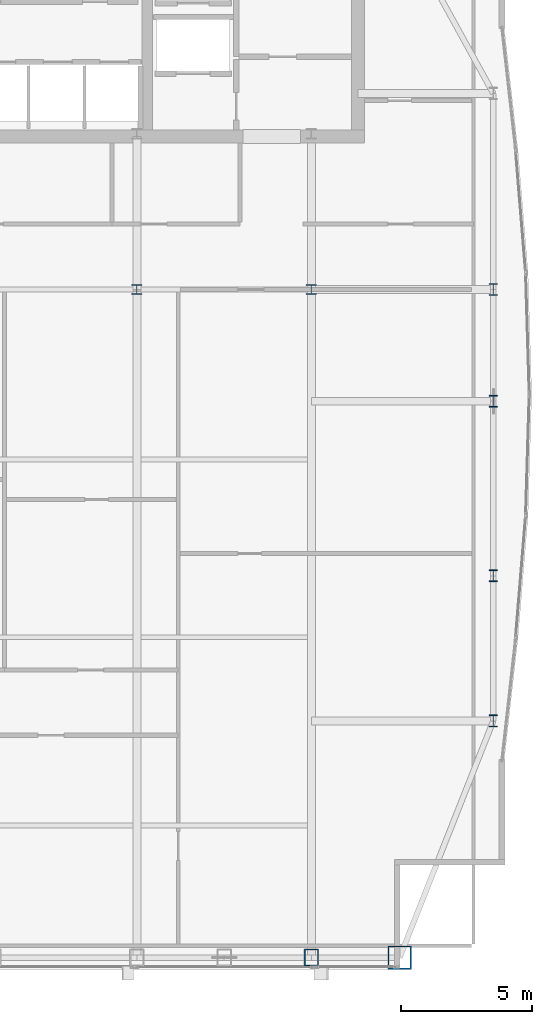
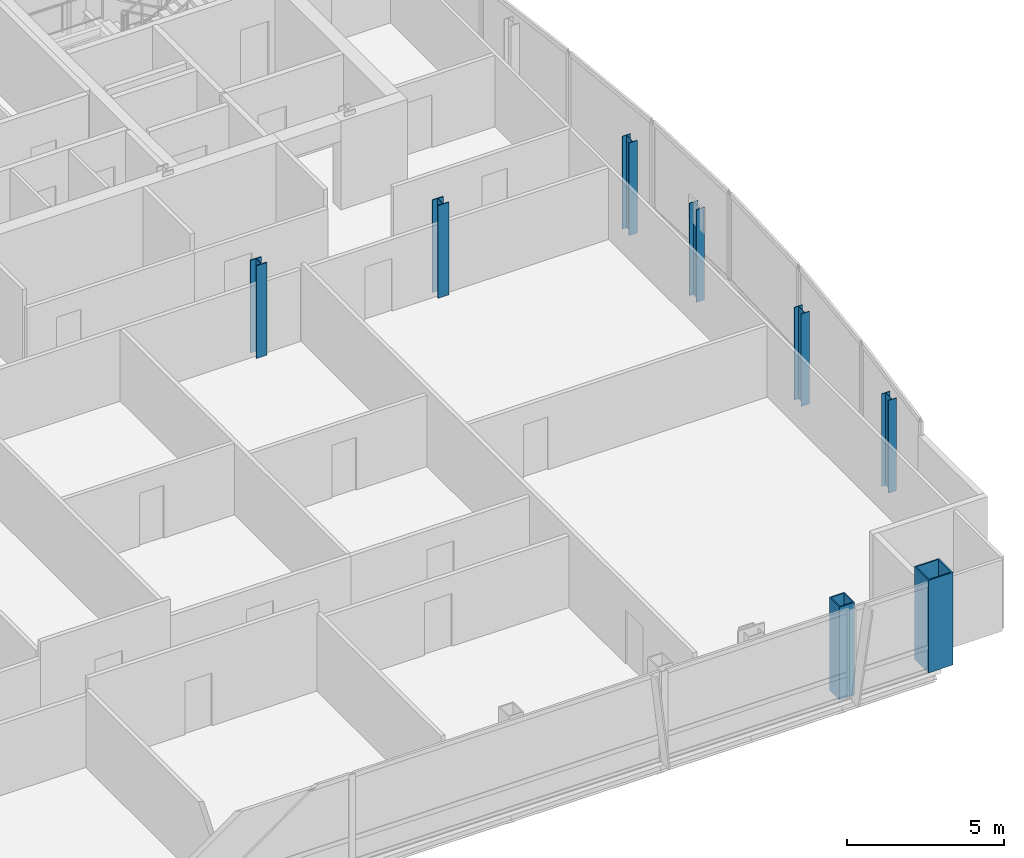
# One storey, part 2 of 25: 8 columns.
"""IFC4 building model written with IfcOpenShell, lengths in metres."""

from ifc_helpers import new_model, si_unit, direction, frame, origin, origin_2d, place, context, subcontext, project, spatial, hollow_rectangle, i_section, extrude, material, material_profile, profile_set, type_object, element, save


model = new_model("IFC4")

# Units and contexts
model_context = context("Model", 3, precision=1e-05, world=origin(), true_north=direction((0.0, 1.0)))
body_context = subcontext(model_context, "Body", "Model", "MODEL_VIEW")
ifc_project = project(units=[si_unit("LENGTHUNIT", "METRE"), si_unit("AREAUNIT", "SQUARE_METRE"), si_unit("VOLUMEUNIT", "CUBIC_METRE"), si_unit("PLANEANGLEUNIT", "RADIAN"), si_unit("MASSUNIT", "GRAM", prefix="KILO")], contexts=[model_context])

# Site, building, storey
site_placement = place(None, origin())
site = spatial("IfcSite", under=ifc_project, at=site_placement, CompositionType="ELEMENT")
building_placement = place(site_placement, origin())
building = spatial("IfcBuilding", under=site, at=building_placement, Name="Khoronbel Lancet Exchange", CompositionType="ELEMENT")
storey_placement = place(building_placement, frame((0.0, 0.0, 298.60009765625)))
storey = spatial("IfcBuildingStorey", under=building, at=storey_placement, Name="L77", CompositionType="ELEMENT", Elevation=298.60009765625)

# Columns
ifc_material_1 = material(Name="Steel S460", Category="steel")
ifc_material_profile_1 = material_profile(ifc_material_1, hollow_rectangle(XDim=0.550048828125, YDim=0.64990234375, WallThickness=0.0400390625, at=origin_2d()), Name="BOX 650x550x40")
ifc_profile_set_1 = profile_set([ifc_material_profile_1], Name="Steel S460")
column_type_1 = type_object("IfcColumnType", Name="COL-EC4", PredefinedType="COLUMN", material=ifc_profile_set_1)
column_1_placement = place(storey_placement, frame((54.675048828125, 10.14990234375, 0.0), z_axis=(0.0, 0.0, 1.0), x_axis=(1.0, 0.0, 0.0)))
element("IfcColumn", 1, at=column_1_placement, inside=storey, type_object=column_type_1, Name="Structural column SC-E2 L77", PredefinedType="COLUMN", context=body_context, shape_type="SweptSolid", body=[
    extrude(hollow_rectangle(XDim=0.550048828125, YDim=0.64990234375, WallThickness=0.0400390625, at=origin_2d()), origin(), (0.0, 0.0, 1.0), 3.599853515625),
])
ifc_material_2 = material(Name="Steel S355", Category="steel")
ifc_material_profile_2 = material_profile(ifc_material_2, i_section(OverallWidth=0.39892578125, OverallDepth=0.39306640625, WebThickness=0.022705078125, FlangeThickness=0.03662109375, at=origin_2d()), Name="HD 400x287")
ifc_profile_set_2 = profile_set([ifc_material_profile_2], Name="Steel S355")
column_type_2 = type_object("IfcColumnType", Name="COL-IC4", PredefinedType="COLUMN", material=ifc_profile_set_2)
for number, where, z_axis, x_axis, name in (
    (2, (48.0, 35.699951171875, 0.0), (0.0, 0.0, 1.0), (1.0, 0.0, 0.0), "Spine gravity column TC3 L77"),
    (3, (54.675048828125, 35.699951171875, 0.0), (0.0, 0.0, 1.0), (1.0, 0.0, 0.0), "Spine gravity column TC4 L77"),
):
    element("IfcColumn", number, at=place(storey_placement, frame(where, z_axis=z_axis, x_axis=x_axis)), inside=storey, type_object=column_type_2, Name=name, PredefinedType="COLUMN", context=body_context, shape_type="SweptSolid", body=[
        extrude(i_section(OverallWidth=0.39892578125, OverallDepth=0.39306640625, WebThickness=0.022705078125, FlangeThickness=0.03662109375, at=origin_2d()), origin(), (0.0, 0.0, 1.0), 3.599853515625),
    ])
ifc_material_profile_3 = material_profile(ifc_material_2, i_section(OverallWidth=0.300048828125, OverallDepth=0.449951171875, WebThickness=0.013916015625, FlangeThickness=0.02587890625, at=origin_2d()), Name="HEB 450")
ifc_profile_set_3 = profile_set([ifc_material_profile_3], Name="Steel S355")
column_type_3 = type_object("IfcColumnType", Name="COL-LC2", PredefinedType="COLUMN", material=ifc_profile_set_3)
for number, where, z_axis, x_axis, name in (
    (4, (61.6298828125, 19.199951171875, 0.0), (0.0, 0.0, 1.0), (1.0, 0.0, 0.0), "Structural column EC-1 L77"),
    (5, (61.6298828125, 24.75, 0.0), (0.0, 0.0, 1.0), (1.0, 0.0, 0.0), "Structural column EC-2 L77"),
    (6, (61.6298828125, 31.425048828125, 0.0), (0.0, 0.0, 1.0), (1.0, 0.0, 0.0), "Structural column EC-M L77"),
    (7, (61.6298828125, 35.699951171875, 0.0), (0.0, 0.0, 1.0), (1.0, 0.0, 0.0), "Structural column EC-3 L77"),
):
    element("IfcColumn", number, at=place(storey_placement, frame(where, z_axis=z_axis, x_axis=x_axis)), inside=storey, type_object=column_type_3, Name=name, PredefinedType="COLUMN", context=body_context, shape_type="SweptSolid", body=[
        extrude(i_section(OverallWidth=0.300048828125, OverallDepth=0.449951171875, WebThickness=0.013916015625, FlangeThickness=0.02587890625, at=origin_2d()), origin(), (0.0, 0.0, 1.0), 3.599853515625),
    ])
ifc_material_profile_4 = material_profile(ifc_material_1, hollow_rectangle(XDim=0.89990234375, YDim=0.89990234375, WallThickness=0.050048828125, at=origin_2d()), Name="BOX 900x900x50")
ifc_profile_set_4 = profile_set([ifc_material_profile_4], Name="Steel S460")
column_type_4 = type_object("IfcColumnType", Name="COL-MC7", PredefinedType="COLUMN", material=ifc_profile_set_4)
column_2_placement = place(storey_placement, frame((58.050048828125, 10.14990234375, 0.0), z_axis=(0.0, 0.0, 1.0), x_axis=(1.0, 0.0, 0.0)))
element("IfcColumn", 8, at=column_2_placement, inside=storey, type_object=column_type_4, Name="Structural column MC-SE L77", PredefinedType="COLUMN", context=body_context, shape_type="SweptSolid", body=[
    extrude(hollow_rectangle(XDim=0.89990234375, YDim=0.89990234375, WallThickness=0.050048828125, at=origin_2d()), origin(), (0.0, 0.0, 1.0), 3.599853515625),
])

save(model, "model.ifc")
